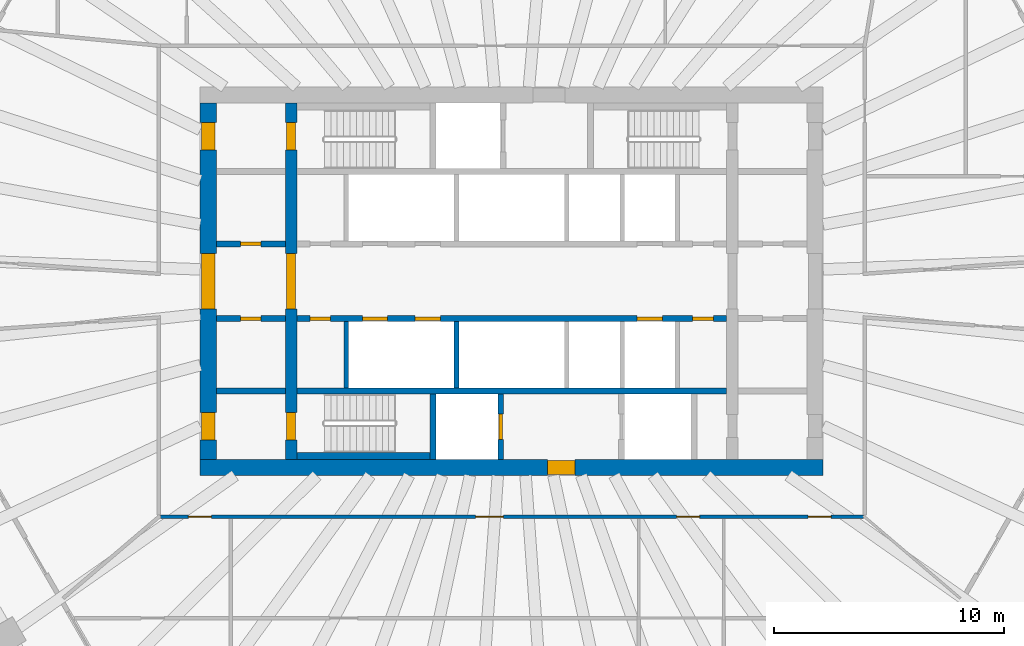
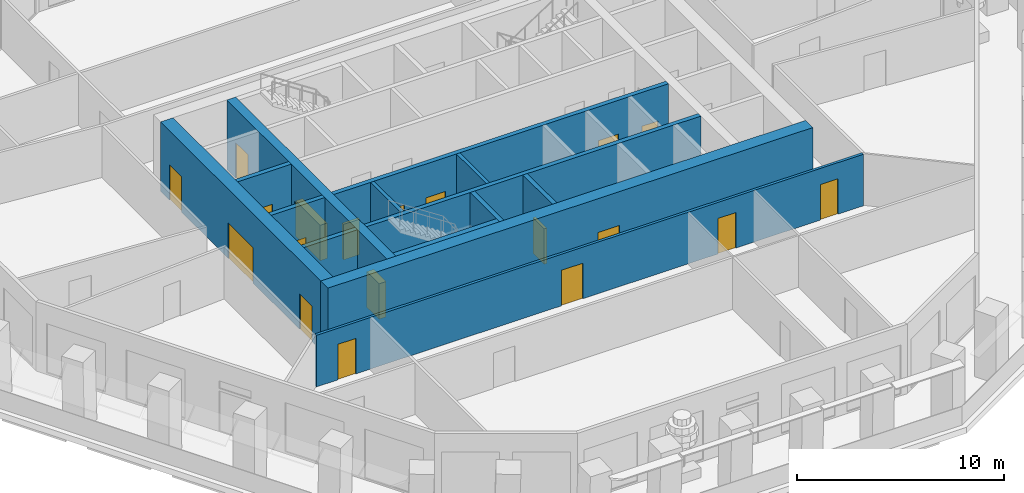
# One storey, part 4 of 12: 19 doors, 14 walls, 19 openings.
"""IFC4 building model written with IfcOpenShell, lengths in metres."""

from ifc_helpers import new_model, si_unit, direction, frame, frame_2d, origin, place, context, subcontext, project, spatial, rectangle, extrude, material, layer, layer_set, type_object, element, fill, save


model = new_model("IFC4")

# Units and contexts
model_context = context("Model", 3, precision=1e-05, world=origin(), true_north=direction((0.0, 1.0)))
body_context = subcontext(model_context, "Body", "Model", "MODEL_VIEW")
ifc_project = project(units=[si_unit("LENGTHUNIT", "METRE"), si_unit("AREAUNIT", "SQUARE_METRE"), si_unit("VOLUMEUNIT", "CUBIC_METRE"), si_unit("PLANEANGLEUNIT", "RADIAN"), si_unit("MASSUNIT", "GRAM", prefix="KILO")], contexts=[model_context])

# Site, building, storey
site_placement = place(None, origin())
site = spatial("IfcSite", under=ifc_project, at=site_placement, CompositionType="ELEMENT")
building_placement = place(site_placement, origin())
building = spatial("IfcBuilding", under=site, at=building_placement, Name="Frailejon Research Tower", CompositionType="ELEMENT")
storey_placement = place(building_placement, frame((0.0, 0.0, 180.39990234375)))
storey = spatial("IfcBuildingStorey", under=building, at=storey_placement, Name="L39", CompositionType="ELEMENT", Elevation=180.39990234375)

# Wall, openings, doors
ifc_material_1 = material(Name="Concrete C60/75", Category="concrete")
ifc_layer_1 = layer(ifc_material_1, 0.5)
ifc_layer_set_1 = layer_set([ifc_layer_1], Name="Core shear wall 500 C60/75")
wall_type_1 = type_object("IfcWallType", Name="Core shear wall 500 C60/75", PredefinedType="SHEAR", material=ifc_layer_set_1)
wall_1_placement = place(storey_placement, frame((-9.60009765625, -7.75, 0.0), z_axis=(0.0, 0.0, 1.0), x_axis=(0.0, 1.0, 0.0)))
wall_1 = element("IfcWall", 1, at=wall_1_placement, inside=storey, type_object=wall_type_1, Name="Core shear wall", PredefinedType="SHEAR", context=body_context, shape_type="SweptSolid", body=[
    extrude(rectangle(XDim=15.5, YDim=0.5, at=frame_2d((7.75, 0.0))), origin(), (0.0, 0.0, 1.0), 4.10009765625),
])
opening_1_placement = place(wall_1_placement, frame((6.550048828125, 0.0, 0.0)))
opening_1 = element("IfcOpeningElement", 2, at=opening_1_placement, cuts=wall_1, Name="Opening D2", PredefinedType="OPENING", context=body_context, shape_type="SweptSolid", body=[
    extrude(rectangle(XDim=2.39990234375, YDim=2.10009765625, at=frame_2d((1.199951171875, 1.050048828125))), frame((0.0, 0.260009765625, 0.0), z_axis=(0.0, -1.0, 0.0), x_axis=(1.0, 0.0, 0.0)), (0.0, 0.0, 1.0), 0.52001953125),
])
opening_2_placement = place(wall_1_placement, frame((13.449951171875, 0.0, 0.0)))
opening_2 = element("IfcOpeningElement", 3, at=opening_2_placement, cuts=wall_1, Name="Opening D1", PredefinedType="OPENING", context=body_context, shape_type="SweptSolid", body=[
    extrude(rectangle(XDim=1.199951171875, YDim=2.10009765625, at=frame_2d((0.60009765625, 1.050048828125))), frame((0.0, 0.260009765625, 0.0), z_axis=(0.0, -1.0, 0.0), x_axis=(1.0, 0.0, 0.0)), (0.0, 0.0, 1.0), 0.52001953125),
])
opening_3_placement = place(wall_1_placement, frame((0.85009765625, 0.0, 0.0)))
opening_3 = element("IfcOpeningElement", 4, at=opening_3_placement, cuts=wall_1, Name="Opening D1", PredefinedType="OPENING", context=body_context, shape_type="SweptSolid", body=[
    extrude(rectangle(XDim=1.199951171875, YDim=2.10009765625, at=frame_2d((0.60009765625, 1.050048828125))), frame((0.0, 0.260009765625, 0.0), z_axis=(0.0, -1.0, 0.0), x_axis=(1.0, 0.0, 0.0)), (0.0, 0.0, 1.0), 0.52001953125),
])
ifc_material_2 = material(Name="Steel", Category="steel")
door_type_1 = type_object("IfcDoorType", Name="Lobby double door", OperationType="DOUBLE_DOOR_SINGLE_SWING", PredefinedType="DOOR", material=ifc_material_2)
door_1_placement = place(opening_1_placement, origin())
door_1 = element("IfcDoor", 5, at=door_1_placement, inside=storey, type_object=door_type_1, Name="Lobby door", OperationType="DOUBLE_DOOR_SINGLE_SWING", OverallHeight=2.10009765625, OverallWidth=2.39990234375, PredefinedType="DOOR", context=body_context, shape_type="SweptSolid", body=[
    extrude(rectangle(XDim=2.39990234375, YDim=2.10009765625, at=frame_2d((1.199951171875, 1.050048828125))), frame((0.0, 0.199951171875, 0.0), z_axis=(0.0, -1.0, 0.0), x_axis=(1.0, 0.0, 0.0)), (0.0, 0.0, 1.0), 0.39990234375),
])
fill(opening_1, door_1)
ifc_material_3 = material(Name="Steel", Category="steel")
door_type_2 = type_object("IfcDoorType", Name="Stair door", OperationType="SINGLE_SWING_LEFT", PredefinedType="DOOR", material=ifc_material_3)
door_2_placement = place(opening_2_placement, origin())
door_2 = element("IfcDoor", 6, at=door_2_placement, inside=storey, type_object=door_type_2, Name="Stair door ST1", OperationType="SINGLE_SWING_LEFT", OverallHeight=2.10009765625, OverallWidth=1.199951171875, PredefinedType="DOOR", context=body_context, shape_type="SweptSolid", body=[
    extrude(rectangle(XDim=1.199951171875, YDim=2.10009765625, at=frame_2d((0.60009765625, 1.050048828125))), frame((0.0, 0.199951171875, 0.0), z_axis=(0.0, -1.0, 0.0), x_axis=(1.0, 0.0, 0.0)), (0.0, 0.0, 1.0), 0.39990234375),
])
fill(opening_2, door_2)
door_3_placement = place(opening_3_placement, origin())
door_3 = element("IfcDoor", 7, at=door_3_placement, inside=storey, type_object=door_type_2, Name="Stair door ST2", OperationType="SINGLE_SWING_LEFT", OverallHeight=2.10009765625, OverallWidth=1.199951171875, PredefinedType="DOOR", context=body_context, shape_type="SweptSolid", body=[
    extrude(rectangle(XDim=1.199951171875, YDim=2.10009765625, at=frame_2d((0.60009765625, 1.050048828125))), frame((0.0, 0.199951171875, 0.0), z_axis=(0.0, -1.0, 0.0), x_axis=(1.0, 0.0, 0.0)), (0.0, 0.0, 1.0), 0.39990234375),
])
fill(opening_3, door_3)

# Wall, opening, door
ifc_material_4 = material(Name="Concrete C60/75", Category="concrete")
ifc_layer_2 = layer(ifc_material_4, 0.699951171875)
ifc_layer_set_2 = layer_set([ifc_layer_2], Name="Core shear wall 700 C60/75")
wall_type_2 = type_object("IfcWallType", Name="Core shear wall 700 C60/75", PredefinedType="SHEAR", material=ifc_layer_set_2)
wall_2_placement = place(storey_placement, frame((-13.550048828125, -8.10009765625, 0.0), z_axis=(0.0, 0.0, 1.0), x_axis=(1.0, 0.0, 0.0)))
wall_2 = element("IfcWall", 8, at=wall_2_placement, inside=storey, type_object=wall_type_2, Name="Core shear wall", PredefinedType="SHEAR", context=body_context, shape_type="SweptSolid", body=[
    extrude(rectangle(XDim=27.10009765625, YDim=0.699951171875, at=frame_2d((13.550048828125, 0.0))), origin(), (0.0, 0.0, 1.0), 4.10009765625),
])
opening_4_placement = place(wall_2_placement, frame((15.10009765625, 0.0, 0.0)))
opening_4 = element("IfcOpeningElement", 9, at=opening_4_placement, cuts=wall_2, Name="Opening D3", PredefinedType="OPENING", context=body_context, shape_type="SweptSolid", body=[
    extrude(rectangle(XDim=1.199951171875, YDim=2.10009765625, at=frame_2d((0.60009765625, 1.050048828125))), frame((0.0, 0.35986328125, 0.0), z_axis=(0.0, -1.0, 0.0), x_axis=(1.0, 0.0, 0.0)), (0.0, 0.0, 1.0), 0.719970703125),
])
ifc_material_5 = material(Name="Steel", Category="steel")
door_type_3 = type_object("IfcDoorType", Name="Firefighting lobby door", OperationType="SINGLE_SWING_LEFT", PredefinedType="DOOR", material=ifc_material_5)
door_4_placement = place(opening_4_placement, origin())
door_4 = element("IfcDoor", 10, at=door_4_placement, inside=storey, type_object=door_type_3, Name="Firefighting lobby door", OperationType="SINGLE_SWING_LEFT", OverallHeight=2.10009765625, OverallWidth=1.199951171875, PredefinedType="DOOR", context=body_context, shape_type="SweptSolid", body=[
    extrude(rectangle(XDim=1.199951171875, YDim=2.10009765625, at=frame_2d((0.60009765625, 1.050048828125))), frame((0.0, 0.300048828125, 0.0), z_axis=(0.0, -1.0, 0.0), x_axis=(1.0, 0.0, 0.0)), (0.0, 0.0, 1.0), 0.60009765625),
])
fill(opening_4, door_4)

# Wall, openings, doors
wall_3_placement = place(storey_placement, frame((-13.199951171875, -7.75, 0.0), z_axis=(0.0, 0.0, 1.0), x_axis=(0.0, 1.0, 0.0)))
wall_3 = element("IfcWall", 11, at=wall_3_placement, inside=storey, type_object=wall_type_2, Name="Core shear wall", PredefinedType="SHEAR", context=body_context, shape_type="SweptSolid", body=[
    extrude(rectangle(XDim=15.5, YDim=0.699951171875, at=frame_2d((7.75, 0.0))), origin(), (0.0, 0.0, 1.0), 4.10009765625),
])
opening_5_placement = place(wall_3_placement, frame((6.550048828125, 0.0, 0.0)))
opening_5 = element("IfcOpeningElement", 12, at=opening_5_placement, cuts=wall_3, Name="Opening D2", PredefinedType="OPENING", context=body_context, shape_type="SweptSolid", body=[
    extrude(rectangle(XDim=2.39990234375, YDim=2.10009765625, at=frame_2d((1.199951171875, 1.050048828125))), frame((0.0, 0.35986328125, 0.0), z_axis=(0.0, -1.0, 0.0), x_axis=(1.0, 0.0, 0.0)), (0.0, 0.0, 1.0), 0.719970703125),
])
opening_6_placement = place(wall_3_placement, frame((13.449951171875, 0.0, 0.0)))
opening_6 = element("IfcOpeningElement", 13, at=opening_6_placement, cuts=wall_3, Name="Opening D7", PredefinedType="OPENING", context=body_context, shape_type="SweptSolid", body=[
    extrude(rectangle(XDim=1.199951171875, YDim=2.10009765625, at=frame_2d((0.60009765625, 1.050048828125))), frame((0.0, 0.35986328125, 0.0), z_axis=(0.0, -1.0, 0.0), x_axis=(1.0, 0.0, 0.0)), (0.0, 0.0, 1.0), 0.719970703125),
])
opening_7_placement = place(wall_3_placement, frame((0.85009765625, 0.0, 0.0)))
opening_7 = element("IfcOpeningElement", 14, at=opening_7_placement, cuts=wall_3, Name="Opening D7", PredefinedType="OPENING", context=body_context, shape_type="SweptSolid", body=[
    extrude(rectangle(XDim=1.199951171875, YDim=2.10009765625, at=frame_2d((0.60009765625, 1.050048828125))), frame((0.0, 0.35986328125, 0.0), z_axis=(0.0, -1.0, 0.0), x_axis=(1.0, 0.0, 0.0)), (0.0, 0.0, 1.0), 0.719970703125),
])
door_5_placement = place(opening_5_placement, origin())
door_5 = element("IfcDoor", 15, at=door_5_placement, inside=storey, type_object=door_type_1, Name="Lobby door", OperationType="DOUBLE_DOOR_SINGLE_SWING", OverallHeight=2.10009765625, OverallWidth=2.39990234375, PredefinedType="DOOR", context=body_context, shape_type="SweptSolid", body=[
    extrude(rectangle(XDim=2.39990234375, YDim=2.10009765625, at=frame_2d((1.199951171875, 1.050048828125))), frame((0.0, 0.300048828125, 0.0), z_axis=(0.0, -1.0, 0.0), x_axis=(1.0, 0.0, 0.0)), (0.0, 0.0, 1.0), 0.60009765625),
])
fill(opening_5, door_5)
ifc_material_6 = material(Name="Steel", Category="steel")
door_type_4 = type_object("IfcDoorType", Name="Stair exit door", OperationType="SINGLE_SWING_LEFT", PredefinedType="DOOR", material=ifc_material_6)
door_6_placement = place(opening_6_placement, origin())
door_6 = element("IfcDoor", 16, at=door_6_placement, inside=storey, type_object=door_type_4, Name="Stair exit door ST1", OperationType="SINGLE_SWING_RIGHT", OverallHeight=2.10009765625, OverallWidth=1.199951171875, PredefinedType="DOOR", context=body_context, shape_type="SweptSolid", body=[
    extrude(rectangle(XDim=1.199951171875, YDim=2.10009765625, at=frame_2d((0.60009765625, 1.050048828125))), frame((0.0, 0.300048828125, 0.0), z_axis=(0.0, -1.0, 0.0), x_axis=(1.0, 0.0, 0.0)), (0.0, 0.0, 1.0), 0.60009765625),
])
fill(opening_6, door_6)
door_7_placement = place(opening_7_placement, origin())
door_7 = element("IfcDoor", 17, at=door_7_placement, inside=storey, type_object=door_type_4, Name="Stair exit door ST2", OperationType="SINGLE_SWING_RIGHT", OverallHeight=2.10009765625, OverallWidth=1.199951171875, PredefinedType="DOOR", context=body_context, shape_type="SweptSolid", body=[
    extrude(rectangle(XDim=1.199951171875, YDim=2.10009765625, at=frame_2d((0.60009765625, 1.050048828125))), frame((0.0, 0.300048828125, 0.0), z_axis=(0.0, -1.0, 0.0), x_axis=(1.0, 0.0, 0.0)), (0.0, 0.0, 1.0), 0.60009765625),
])
fill(opening_7, door_7)

ifc_material_7 = material(Name="Gypsum board and masonry partition", Category="masonry")
ifc_layer_3 = layer(ifc_material_7, 0.14990234375)
ifc_layer_set_3 = layer_set([ifc_layer_3], Name="Corridor wall EI 60, gypsum on steel studs 150")
wall_type_3 = type_object("IfcWallType", Name="Corridor wall EI 60, gypsum on steel studs 150", PredefinedType="PARTITIONING", material=ifc_layer_set_3)
wall_4_placement = place(storey_placement, frame((-15.27490234375, -10.25, 0.0), z_axis=(0.0, 0.0, 1.0), x_axis=(1.0, 0.0, 0.0)))
wall_4 = element("IfcWall", 18, at=wall_4_placement, inside=storey, type_object=wall_type_3, Name="T:IW:L39:006", PredefinedType="PARTITIONING", context=body_context, shape_type="SweptSolid", body=[
    extrude(rectangle(XDim=30.574951171875, YDim=0.14990234375, at=frame_2d((15.28759765625, 0.0))), origin(), (0.0, 0.0, 1.0), 3.050048828125),
])
opening_8_placement = place(wall_4_placement, frame((1.2060546875, 0.0, 0.0)))
opening_8 = element("IfcOpeningElement", 19, at=opening_8_placement, cuts=wall_4, Name="Opening D1854", PredefinedType="OPENING", context=body_context, shape_type="SweptSolid", body=[
    extrude(rectangle(XDim=1.0, YDim=2.10009765625, at=frame_2d((0.5, 1.050048828125))), frame((0.0, 0.0849609375, 0.0), z_axis=(0.0, -1.0, 0.0), x_axis=(1.0, 0.0, 0.0)), (0.0, 0.0, 1.0), 0.169921875),
])
opening_9_placement = place(wall_4_placement, frame((13.708740234375, 0.0, 0.0)))
opening_9 = element("IfcOpeningElement", 20, at=opening_9_placement, cuts=wall_4, Name="Opening D1856", PredefinedType="OPENING", context=body_context, shape_type="SweptSolid", body=[
    extrude(rectangle(XDim=1.199951171875, YDim=2.10009765625, at=frame_2d((0.60009765625, 1.050048828125))), frame((0.0, 0.0849609375, 0.0), z_axis=(0.0, -1.0, 0.0), x_axis=(1.0, 0.0, 0.0)), (0.0, 0.0, 1.0), 0.169921875),
])
opening_10_placement = place(wall_4_placement, frame((22.447265625, 0.0, 0.0)))
opening_10 = element("IfcOpeningElement", 21, at=opening_10_placement, cuts=wall_4, Name="Opening D1859", PredefinedType="OPENING", context=body_context, shape_type="SweptSolid", body=[
    extrude(rectangle(XDim=1.0, YDim=2.10009765625, at=frame_2d((0.5, 1.050048828125))), frame((0.0, 0.0849609375, 0.0), z_axis=(0.0, -1.0, 0.0), x_axis=(1.0, 0.0, 0.0)), (0.0, 0.0, 1.0), 0.169921875),
])
opening_11_placement = place(wall_4_placement, frame((28.1669921875, 0.0, 0.0)))
opening_11 = element("IfcOpeningElement", 22, at=opening_11_placement, cuts=wall_4, Name="Opening D1861", PredefinedType="OPENING", context=body_context, shape_type="SweptSolid", body=[
    extrude(rectangle(XDim=1.0, YDim=2.10009765625, at=frame_2d((0.5, 1.050048828125))), frame((0.0, 0.0849609375, 0.0), z_axis=(0.0, -1.0, 0.0), x_axis=(1.0, 0.0, 0.0)), (0.0, 0.0, 1.0), 0.169921875),
])
ifc_material_8 = material(Name="Timber door leaf", Category="wood")
door_type_5 = type_object("IfcDoorType", Name="Door laboratory, timber, vision panel 1000", OperationType="NOTDEFINED", PredefinedType="DOOR", material=ifc_material_8)
door_8_placement = place(opening_8_placement, origin())
door_8 = element("IfcDoor", 23, at=door_8_placement, inside=storey, type_object=door_type_5, Name="D1854", OperationType="SINGLE_SWING_LEFT", OverallHeight=2.10009765625, OverallWidth=1.0, PredefinedType="DOOR", context=body_context, shape_type="SweptSolid", body=[
    extrude(rectangle(XDim=1.0, YDim=2.10009765625, at=frame_2d((0.5, 1.050048828125))), frame((0.0, 0.02490234375, 0.0), z_axis=(0.0, -1.0, 0.0), x_axis=(1.0, 0.0, 0.0)), (0.0, 0.0, 1.0), 0.050048828125),
])
fill(opening_8, door_8)
ifc_material_9 = material(Name="Timber door leaf", Category="wood")
door_type_6 = type_object("IfcDoorType", Name="Door single leaf, timber, steel frame 1000", OperationType="NOTDEFINED", PredefinedType="DOOR", material=ifc_material_9)
door_9_placement = place(opening_10_placement, origin())
door_9 = element("IfcDoor", 24, at=door_9_placement, inside=storey, type_object=door_type_6, Name="D1859", OperationType="SINGLE_SWING_LEFT", OverallHeight=2.10009765625, OverallWidth=1.0, PredefinedType="DOOR", context=body_context, shape_type="SweptSolid", body=[
    extrude(rectangle(XDim=1.0, YDim=2.10009765625, at=frame_2d((0.5, 1.050048828125))), frame((0.0, 0.02490234375, 0.0), z_axis=(0.0, -1.0, 0.0), x_axis=(1.0, 0.0, 0.0)), (0.0, 0.0, 1.0), 0.050048828125),
])
fill(opening_10, door_9)
door_10_placement = place(opening_11_placement, origin())
door_10 = element("IfcDoor", 25, at=door_10_placement, inside=storey, type_object=door_type_6, Name="D1861", OperationType="SINGLE_SWING_RIGHT", OverallHeight=2.10009765625, OverallWidth=1.0, PredefinedType="DOOR", context=body_context, shape_type="SweptSolid", body=[
    extrude(rectangle(XDim=1.0, YDim=2.10009765625, at=frame_2d((0.5, 1.050048828125))), frame((0.0, 0.02490234375, 0.0), z_axis=(0.0, -1.0, 0.0), x_axis=(1.0, 0.0, 0.0)), (0.0, 0.0, 1.0), 0.050048828125),
])
fill(opening_11, door_10)
ifc_material_10 = material(Name="Timber door leaf", Category="wood")
door_type_7 = type_object("IfcDoorType", Name="Door single leaf, timber, steel frame 1200", OperationType="NOTDEFINED", PredefinedType="DOOR", material=ifc_material_10)
door_11_placement = place(opening_9_placement, origin())
door_11 = element("IfcDoor", 26, at=door_11_placement, inside=storey, type_object=door_type_7, Name="D1856", OperationType="DOUBLE_DOOR_SINGLE_SWING", OverallHeight=2.10009765625, OverallWidth=1.199951171875, PredefinedType="DOOR", context=body_context, shape_type="SweptSolid", body=[
    extrude(rectangle(XDim=1.199951171875, YDim=2.10009765625, at=frame_2d((0.60009765625, 1.050048828125))), frame((0.0, 0.02490234375, 0.0), z_axis=(0.0, -1.0, 0.0), x_axis=(1.0, 0.0, 0.0)), (0.0, 0.0, 1.0), 0.050048828125),
])
fill(opening_9, door_11)

# Walls
ifc_material_11 = material(Name="Concrete C60/75", Category="concrete")
ifc_layer_4 = layer(ifc_material_11, 0.199951171875)
ifc_layer_set_4 = layer_set([ifc_layer_4], Name="Shaft wall 200 C60/75")
wall_type_4 = type_object("IfcWallType", Name="Shaft wall 200 C60/75", PredefinedType="SOLIDWALL", material=ifc_layer_set_4)
for number, where, z_axis, x_axis, name in (
    (27, (-7.199951171875, -4.64990234375, 0.0), (0.0, 0.0, 1.0), (0.0, 1.0, 0.0), "Shaft wall"),
    (28, (-2.39990234375, -4.64990234375, 0.0), (0.0, 0.0, 1.0), (0.0, 1.0, 0.0), "Shaft wall"),
):
    element("IfcWall", number, at=place(storey_placement, frame(where, z_axis=z_axis, x_axis=x_axis)), inside=storey, type_object=wall_type_4, Name=name, PredefinedType="SOLIDWALL", context=body_context, shape_type="SweptSolid", body=[
        extrude(rectangle(XDim=2.89990234375, YDim=0.199951171875, at=frame_2d((1.449951171875, 0.0))), origin(), (0.0, 0.0, 1.0), 4.10009765625),
    ])

# Wall, opening, door
ifc_material_12 = material(Name="Concrete C60/75", Category="concrete")
ifc_layer_5 = layer(ifc_material_12, 0.25)
ifc_layer_set_5 = layer_set([ifc_layer_5], Name="Shaft wall 250 C60/75")
wall_type_5 = type_object("IfcWallType", Name="Shaft wall 250 C60/75", PredefinedType="SOLIDWALL", material=ifc_layer_set_5)
wall_5_placement = place(storey_placement, frame((-12.85009765625, 1.625, 0.0), z_axis=(0.0, 0.0, 1.0), x_axis=(1.0, 0.0, 0.0)))
wall_5 = element("IfcWall", 29, at=wall_5_placement, inside=storey, type_object=wall_type_5, Name="Shaft wall", PredefinedType="SOLIDWALL", context=body_context, shape_type="SweptSolid", body=[
    extrude(rectangle(XDim=3.0, YDim=0.25, at=frame_2d((1.5, 0.0))), origin(), (0.0, 0.0, 1.0), 4.10009765625),
])
opening_12_placement = place(wall_5_placement, frame((1.050048828125, 0.0, 0.0)))
opening_12 = element("IfcOpeningElement", 30, at=opening_12_placement, cuts=wall_5, Name="Opening D8", PredefinedType="OPENING", context=body_context, shape_type="SweptSolid", body=[
    extrude(rectangle(XDim=0.89990234375, YDim=2.10009765625, at=frame_2d((0.449951171875, 1.050048828125))), frame((0.0, 0.135009765625, 0.0), z_axis=(0.0, -1.0, 0.0), x_axis=(1.0, 0.0, 0.0)), (0.0, 0.0, 1.0), 0.27001953125),
])
ifc_material_13 = material(Name="Steel", Category="steel")
door_type_8 = type_object("IfcDoorType", Name="Core room door", OperationType="SINGLE_SWING_LEFT", PredefinedType="DOOR", material=ifc_material_13)
door_12_placement = place(opening_12_placement, origin())
door_12 = element("IfcDoor", 31, at=door_12_placement, inside=storey, type_object=door_type_8, Name="Room door", OperationType="SINGLE_SWING_LEFT", OverallHeight=2.10009765625, OverallWidth=0.89990234375, PredefinedType="DOOR", context=body_context, shape_type="SweptSolid", body=[
    extrude(rectangle(XDim=0.89990234375, YDim=2.10009765625, at=frame_2d((0.449951171875, 1.050048828125))), frame((0.0, 0.074951171875, 0.0), z_axis=(0.0, -1.0, 0.0), x_axis=(1.0, 0.0, 0.0)), (0.0, 0.0, 1.0), 0.14990234375),
])
fill(opening_12, door_12)

wall_6_placement = place(storey_placement, frame((-12.85009765625, -1.625, 0.0), z_axis=(0.0, 0.0, 1.0), x_axis=(1.0, 0.0, 0.0)))
wall_6 = element("IfcWall", 32, at=wall_6_placement, inside=storey, type_object=wall_type_5, Name="Shaft wall", PredefinedType="SOLIDWALL", context=body_context, shape_type="SweptSolid", body=[
    extrude(rectangle(XDim=3.0, YDim=0.25, at=frame_2d((1.5, 0.0))), origin(), (0.0, 0.0, 1.0), 4.10009765625),
])
opening_13_placement = place(wall_6_placement, frame((1.050048828125, 0.0, 0.0)))
opening_13 = element("IfcOpeningElement", 33, at=opening_13_placement, cuts=wall_6, Name="Opening D8", PredefinedType="OPENING", context=body_context, shape_type="SweptSolid", body=[
    extrude(rectangle(XDim=0.89990234375, YDim=2.10009765625, at=frame_2d((0.449951171875, 1.050048828125))), frame((0.0, 0.135009765625, 0.0), z_axis=(0.0, -1.0, 0.0), x_axis=(1.0, 0.0, 0.0)), (0.0, 0.0, 1.0), 0.27001953125),
])
door_13_placement = place(opening_13_placement, origin())
door_13 = element("IfcDoor", 34, at=door_13_placement, inside=storey, type_object=door_type_8, Name="Room door", OperationType="SINGLE_SWING_LEFT", OverallHeight=2.10009765625, OverallWidth=0.89990234375, PredefinedType="DOOR", context=body_context, shape_type="SweptSolid", body=[
    extrude(rectangle(XDim=0.89990234375, YDim=2.10009765625, at=frame_2d((0.449951171875, 1.050048828125))), frame((0.0, 0.074951171875, 0.0), z_axis=(0.0, -1.0, 0.0), x_axis=(1.0, 0.0, 0.0)), (0.0, 0.0, 1.0), 0.14990234375),
])
fill(opening_13, door_13)

# Wall, openings, doors
wall_7_placement = place(storey_placement, frame((-9.35009765625, -1.625, 0.0), z_axis=(0.0, 0.0, 1.0), x_axis=(1.0, 0.0, 0.0)))
wall_7 = element("IfcWall", 35, at=wall_7_placement, inside=storey, type_object=wall_type_5, Name="Shaft wall", PredefinedType="SOLIDWALL", context=body_context, shape_type="SweptSolid", body=[
    extrude(rectangle(XDim=18.7001953125, YDim=0.25, at=frame_2d((9.35009765625, 0.0))), origin(), (0.0, 0.0, 1.0), 4.10009765625),
])
opening_14_placement = place(wall_7_placement, frame((2.85009765625, 0.0, 0.0)))
opening_14 = element("IfcOpeningElement", 36, at=opening_14_placement, cuts=wall_7, Name="Opening LD", PredefinedType="OPENING", context=body_context, shape_type="SweptSolid", body=[
    extrude(rectangle(XDim=1.10009765625, YDim=2.10009765625, at=frame_2d((0.550048828125, 1.050048828125))), frame((0.0, 0.135009765625, 0.0), z_axis=(0.0, -1.0, 0.0), x_axis=(1.0, 0.0, 0.0)), (0.0, 0.0, 1.0), 0.27001953125),
])
opening_15_placement = place(wall_7_placement, frame((5.14990234375, 0.0, 0.0)))
opening_15 = element("IfcOpeningElement", 37, at=opening_15_placement, cuts=wall_7, Name="Opening LD", PredefinedType="OPENING", context=body_context, shape_type="SweptSolid", body=[
    extrude(rectangle(XDim=1.10009765625, YDim=2.10009765625, at=frame_2d((0.550048828125, 1.050048828125))), frame((0.0, 0.135009765625, 0.0), z_axis=(0.0, -1.0, 0.0), x_axis=(1.0, 0.0, 0.0)), (0.0, 0.0, 1.0), 0.27001953125),
])
opening_16_placement = place(wall_7_placement, frame((14.800048828125, 0.0, 0.0)))
opening_16 = element("IfcOpeningElement", 38, at=opening_16_placement, cuts=wall_7, Name="Opening LD", PredefinedType="OPENING", context=body_context, shape_type="SweptSolid", body=[
    extrude(rectangle(XDim=1.10009765625, YDim=2.10009765625, at=frame_2d((0.550048828125, 1.050048828125))), frame((0.0, 0.135009765625, 0.0), z_axis=(0.0, -1.0, 0.0), x_axis=(1.0, 0.0, 0.0)), (0.0, 0.0, 1.0), 0.27001953125),
])
opening_17_placement = place(wall_7_placement, frame((0.574951171875, 0.0, 0.0)))
opening_17 = element("IfcOpeningElement", 39, at=opening_17_placement, cuts=wall_7, Name="Opening D8", PredefinedType="OPENING", context=body_context, shape_type="SweptSolid", body=[
    extrude(rectangle(XDim=0.89990234375, YDim=2.10009765625, at=frame_2d((0.449951171875, 1.050048828125))), frame((0.0, 0.135009765625, 0.0), z_axis=(0.0, -1.0, 0.0), x_axis=(1.0, 0.0, 0.0)), (0.0, 0.0, 1.0), 0.27001953125),
])
opening_18_placement = place(wall_7_placement, frame((17.22509765625, 0.0, 0.0)))
opening_18 = element("IfcOpeningElement", 40, at=opening_18_placement, cuts=wall_7, Name="Opening D8", PredefinedType="OPENING", context=body_context, shape_type="SweptSolid", body=[
    extrude(rectangle(XDim=0.89990234375, YDim=2.10009765625, at=frame_2d((0.449951171875, 1.050048828125))), frame((0.0, 0.135009765625, 0.0), z_axis=(0.0, -1.0, 0.0), x_axis=(1.0, 0.0, 0.0)), (0.0, 0.0, 1.0), 0.27001953125),
])
door_14_placement = place(opening_17_placement, origin())
door_14 = element("IfcDoor", 41, at=door_14_placement, inside=storey, type_object=door_type_8, Name="Room door", OperationType="SINGLE_SWING_RIGHT", OverallHeight=2.10009765625, OverallWidth=0.89990234375, PredefinedType="DOOR", context=body_context, shape_type="SweptSolid", body=[
    extrude(rectangle(XDim=0.89990234375, YDim=2.10009765625, at=frame_2d((0.449951171875, 1.050048828125))), frame((0.0, 0.074951171875, 0.0), z_axis=(0.0, -1.0, 0.0), x_axis=(1.0, 0.0, 0.0)), (0.0, 0.0, 1.0), 0.14990234375),
])
fill(opening_17, door_14)
door_15_placement = place(opening_18_placement, origin())
door_15 = element("IfcDoor", 42, at=door_15_placement, inside=storey, type_object=door_type_8, Name="Room door", OperationType="SINGLE_SWING_LEFT", OverallHeight=2.10009765625, OverallWidth=0.89990234375, PredefinedType="DOOR", context=body_context, shape_type="SweptSolid", body=[
    extrude(rectangle(XDim=0.89990234375, YDim=2.10009765625, at=frame_2d((0.449951171875, 1.050048828125))), frame((0.0, 0.074951171875, 0.0), z_axis=(0.0, -1.0, 0.0), x_axis=(1.0, 0.0, 0.0)), (0.0, 0.0, 1.0), 0.14990234375),
])
fill(opening_18, door_15)
ifc_material_14 = material(Name="Steel", Category="steel")
door_type_9 = type_object("IfcDoorType", Name="Lift landing door", OperationType="DOUBLE_DOOR_SLIDING", PredefinedType="DOOR", material=ifc_material_14)
door_16_placement = place(opening_14_placement, origin())
door_16 = element("IfcDoor", 43, at=door_16_placement, inside=storey, type_object=door_type_9, Name="Lift landing door", OperationType="DOUBLE_DOOR_SLIDING", OverallHeight=2.10009765625, OverallWidth=1.10009765625, PredefinedType="DOOR", context=body_context, shape_type="SweptSolid", body=[
    extrude(rectangle(XDim=1.10009765625, YDim=2.10009765625, at=frame_2d((0.550048828125, 1.050048828125))), frame((0.0, 0.074951171875, 0.0), z_axis=(0.0, -1.0, 0.0), x_axis=(1.0, 0.0, 0.0)), (0.0, 0.0, 1.0), 0.14990234375),
])
fill(opening_14, door_16)
door_17_placement = place(opening_15_placement, origin())
door_17 = element("IfcDoor", 44, at=door_17_placement, inside=storey, type_object=door_type_9, Name="Lift landing door", OperationType="DOUBLE_DOOR_SLIDING", OverallHeight=2.10009765625, OverallWidth=1.10009765625, PredefinedType="DOOR", context=body_context, shape_type="SweptSolid", body=[
    extrude(rectangle(XDim=1.10009765625, YDim=2.10009765625, at=frame_2d((0.550048828125, 1.050048828125))), frame((0.0, 0.074951171875, 0.0), z_axis=(0.0, -1.0, 0.0), x_axis=(1.0, 0.0, 0.0)), (0.0, 0.0, 1.0), 0.14990234375),
])
fill(opening_15, door_17)
door_18_placement = place(opening_16_placement, origin())
door_18 = element("IfcDoor", 45, at=door_18_placement, inside=storey, type_object=door_type_9, Name="Lift landing door", OperationType="DOUBLE_DOOR_SLIDING", OverallHeight=2.10009765625, OverallWidth=1.10009765625, PredefinedType="DOOR", context=body_context, shape_type="SweptSolid", body=[
    extrude(rectangle(XDim=1.10009765625, YDim=2.10009765625, at=frame_2d((0.550048828125, 1.050048828125))), frame((0.0, 0.074951171875, 0.0), z_axis=(0.0, -1.0, 0.0), x_axis=(1.0, 0.0, 0.0)), (0.0, 0.0, 1.0), 0.14990234375),
])
fill(opening_16, door_18)

# Walls
wall_8_placement = place(storey_placement, frame((-12.85009765625, -4.77490234375, 0.0), z_axis=(0.0, 0.0, 1.0), x_axis=(1.0, 0.0, 0.0)))
element("IfcWall", 46, at=wall_8_placement, inside=storey, type_object=wall_type_5, Name="Shaft wall", PredefinedType="SOLIDWALL", context=body_context, shape_type="SweptSolid", body=[
    extrude(rectangle(XDim=3.0, YDim=0.25, at=frame_2d((1.5, 0.0))), origin(), (0.0, 0.0, 1.0), 4.10009765625),
])
wall_9_placement = place(storey_placement, frame((-9.35009765625, -4.77490234375, 0.0), z_axis=(0.0, 0.0, 1.0), x_axis=(1.0, 0.0, 0.0)))
element("IfcWall", 47, at=wall_9_placement, inside=storey, type_object=wall_type_5, Name="Shaft wall", PredefinedType="SOLIDWALL", context=body_context, shape_type="SweptSolid", body=[
    extrude(rectangle(XDim=18.7001953125, YDim=0.25, at=frame_2d((9.35009765625, 0.0))), origin(), (0.0, 0.0, 1.0), 4.10009765625),
])
wall_10_placement = place(storey_placement, frame((-3.425048828125, -7.75, 0.0), z_axis=(0.0, 0.0, 1.0), x_axis=(0.0, 1.0, 0.0)))
element("IfcWall", 48, at=wall_10_placement, inside=storey, type_object=wall_type_5, Name="Shaft wall", PredefinedType="SOLIDWALL", context=body_context, shape_type="SweptSolid", body=[
    extrude(rectangle(XDim=2.85009765625, YDim=0.25, at=frame_2d((1.425048828125, 0.0))), origin(), (0.0, 0.0, 1.0), 4.10009765625),
])

# Wall, opening, door
wall_11_placement = place(storey_placement, frame((-0.47509765625, -7.75, 0.0), z_axis=(0.0, 0.0, 1.0), x_axis=(0.0, 1.0, 0.0)))
wall_11 = element("IfcWall", 49, at=wall_11_placement, inside=storey, type_object=wall_type_5, Name="Shaft wall", PredefinedType="SOLIDWALL", context=body_context, shape_type="SweptSolid", body=[
    extrude(rectangle(XDim=2.85009765625, YDim=0.25, at=frame_2d((1.425048828125, 0.0))), origin(), (0.0, 0.0, 1.0), 4.10009765625),
])
opening_19_placement = place(wall_11_placement, frame((0.875, 0.0, 0.0)))
opening_19 = element("IfcOpeningElement", 50, at=opening_19_placement, cuts=wall_11, Name="Opening LD", PredefinedType="OPENING", context=body_context, shape_type="SweptSolid", body=[
    extrude(rectangle(XDim=1.10009765625, YDim=2.10009765625, at=frame_2d((0.550048828125, 1.050048828125))), frame((0.0, 0.135009765625, 0.0), z_axis=(0.0, -1.0, 0.0), x_axis=(1.0, 0.0, 0.0)), (0.0, 0.0, 1.0), 0.27001953125),
])
door_19_placement = place(opening_19_placement, origin())
door_19 = element("IfcDoor", 51, at=door_19_placement, inside=storey, type_object=door_type_9, Name="Lift landing door", OperationType="DOUBLE_DOOR_SLIDING", OverallHeight=2.10009765625, OverallWidth=1.10009765625, PredefinedType="DOOR", context=body_context, shape_type="SweptSolid", body=[
    extrude(rectangle(XDim=1.10009765625, YDim=2.10009765625, at=frame_2d((0.550048828125, 1.050048828125))), frame((0.0, 0.074951171875, 0.0), z_axis=(0.0, -1.0, 0.0), x_axis=(1.0, 0.0, 0.0)), (0.0, 0.0, 1.0), 0.14990234375),
])
fill(opening_19, door_19)

# Wall
ifc_material_15 = material(Name="Concrete C60/75", Category="concrete")
ifc_layer_6 = layer(ifc_material_15, 0.300048828125)
ifc_layer_set_6 = layer_set([ifc_layer_6], Name="Shaft wall 300 C60/75")
wall_type_6 = type_object("IfcWallType", Name="Shaft wall 300 C60/75", PredefinedType="SOLIDWALL", material=ifc_layer_set_6)
wall_12_placement = place(storey_placement, frame((-9.35009765625, -7.60009765625, 0.0), z_axis=(0.0, 0.0, 1.0), x_axis=(1.0, 0.0, 0.0)))
element("IfcWall", 52, at=wall_12_placement, inside=storey, type_object=wall_type_6, Name="Shaft wall", PredefinedType="SOLIDWALL", context=body_context, shape_type="SweptSolid", body=[
    extrude(rectangle(XDim=5.800048828125, YDim=0.300048828125, at=frame_2d((2.89990234375, 0.0))), origin(), (0.0, 0.0, 1.0), 4.10009765625),
])

save(model, "model.ifc")
